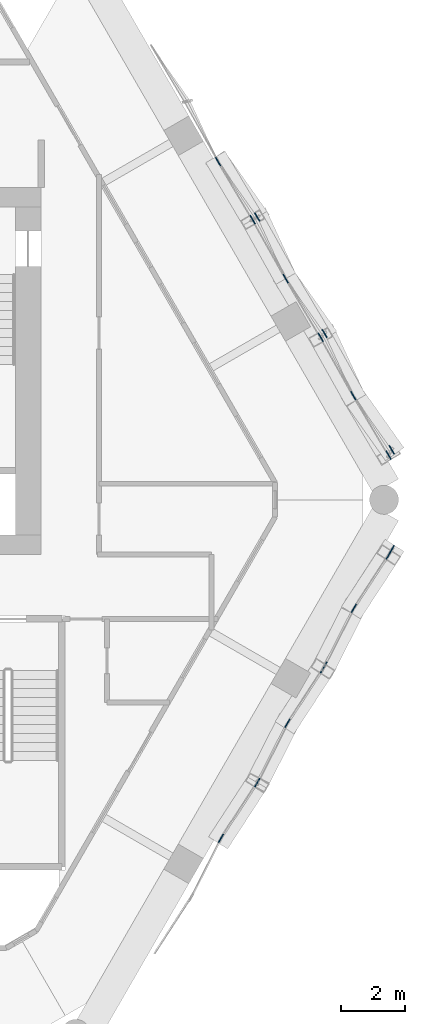
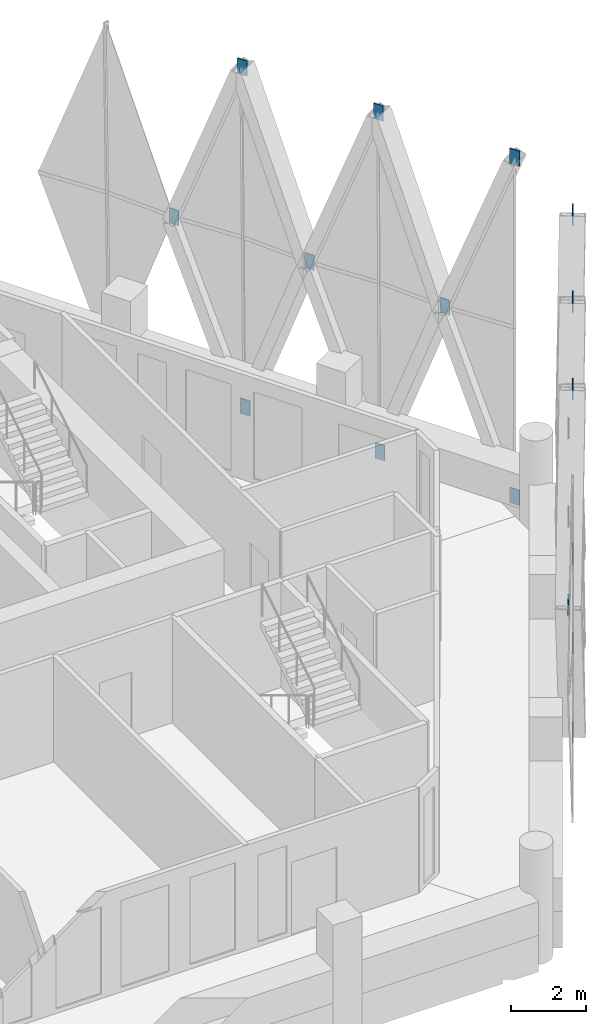
# One storey, part 17 of 18: 18 discrete accessories.
"""IFC4 building model written with IfcOpenShell, lengths in metres."""

from ifc_helpers import new_model, si_unit, direction, frame, origin, origin_2d, place, context, subcontext, project, spatial, rectangle, extrude, material, layer, layer_set, type_object, element, save


model = new_model("IFC4")

# Units and contexts
model_context = context("Model", 3, precision=1e-05, world=origin(), true_north=direction((0.0, 1.0)))
body_context = subcontext(model_context, "Body", "Model", "MODEL_VIEW")
ifc_project = project(units=[si_unit("LENGTHUNIT", "METRE"), si_unit("AREAUNIT", "SQUARE_METRE"), si_unit("VOLUMEUNIT", "CUBIC_METRE"), si_unit("PLANEANGLEUNIT", "RADIAN"), si_unit("MASSUNIT", "GRAM", prefix="KILO")], contexts=[model_context])

# Site, building, storey
site_placement = place(None, origin())
site = spatial("IfcSite", under=ifc_project, at=site_placement, CompositionType="ELEMENT")
building_placement = place(site_placement, origin())
building = spatial("IfcBuilding", under=site, at=building_placement, Name="Ostrander Bayou Hotel Tower", CompositionType="ELEMENT")
storey_placement = place(building_placement, frame((0.0, 0.0, 214.5)))
storey = spatial("IfcBuildingStorey", under=building, at=storey_placement, Name="L53", CompositionType="ELEMENT", Elevation=214.5)

# Discrete accessories
ifc_material = material(Name="Steel ASTM A572 Gr 50", Category="steel")
ifc_layer = layer(ifc_material, 0.030029296875)
ifc_layer_set = layer_set([ifc_layer], Name="GP1 gusset plate 30 mm")
discrete_accessory_type = type_object("IfcDiscreteAccessoryType", Name="GP1 gusset plate 30 mm", PredefinedType="BRACKET", material=ifc_layer_set)
for number, where, z_axis, x_axis, name in (
    (1, (14.089111328125, -10.518310546875, 4.77490234375), (0.0, 0.0, 1.0), (0.5, 0.866025403784, 0.0), "GP1 gusset plate lat 335"),
    (2, (15.216064453125, -8.784912109375, -0.85009765625), (0.0, 0.0, 1.0), (0.5, 0.866025403784, 0.0), "GP1 gusset plate lat 336"),
    (3, (15.216064453125, -8.784912109375, 10.39990234375), (0.0, 0.0, 1.0), (0.5, 0.866025403784, 0.0), "GP1 gusset plate lat 337"),
    (4, (16.153564453125, -6.9423828125, 4.77490234375), (0.0, 0.0, 1.0), (0.5, 0.866025403784, 0.0), "GP1 gusset plate lat 338"),
    (5, (17.30419921875, -5.168212890625, -0.85009765625), (0.0, 0.0, 1.0), (0.5, 0.866025403784, 0.0), "GP1 gusset plate lat 339"),
    (6, (17.257080078125, -5.25, 10.39990234375), (0.0, 0.0, 1.0), (0.5, 0.866025403784, 0.0), "GP1 gusset plate lat 340"),
    (7, (18.218017578125, -3.366455078125, 4.77490234375), (0.0, 0.0, 1.0), (0.5, 0.866025403784, 0.0), "GP1 gusset plate lat 341"),
    (8, (19.392333984375, -1.551513671875, -0.85009765625), (0.0, 0.0, 1.0), (0.5, 0.866025403784, 0.0), "GP1 gusset plate lat 342"),
    (9, (19.2978515625, -1.715087890625, 10.39990234375), (0.0, 0.0, 1.0), (0.5, 0.866025403784, 0.0), "GP1 gusset plate lat 343"),
    (10, (18.2001953125, 3.233642578125, 4.77490234375), (0.0, 0.0, 1.0), (-0.5, 0.866025403784, 0.0), "GP1 gusset plate lat 344"),
    (11, (19.392333984375, 1.551513671875, -0.85009765625), (0.0, 0.0, 1.0), (-0.5, 0.866025403784, 0.0), "GP1 gusset plate lat 345"),
    (12, (19.2978515625, 1.387939453125, 10.39990234375), (0.0, 0.0, 1.0), (-0.5, 0.866025403784, 0.0), "GP1 gusset plate lat 346"),
    (13, (17.30419921875, 5.168212890625, -0.85009765625), (0.0, 0.0, 1.0), (-0.5, 0.866025403784, 0.0), "GP1 gusset plate lat 347"),
    (14, (17.18603515625, 5.04541015625, 10.39990234375), (0.0, 0.0, 1.0), (-0.5, 0.866025403784, 0.0), "GP1 gusset plate lat 348"),
    (15, (16.100341796875, 6.870849609375, 4.77490234375), (0.0, 0.0, 1.0), (-0.5, 0.866025403784, 0.0), "GP1 gusset plate lat 349"),
    (16, (15.216064453125, 8.784912109375, -0.85009765625), (0.0, 0.0, 1.0), (-0.5, 0.866025403784, 0.0), "GP1 gusset plate lat 350"),
    (17, (15.07421875, 8.703125, 10.39990234375), (0.0, 0.0, 1.0), (-0.5, 0.866025403784, 0.0), "GP1 gusset plate lat 351"),
    (18, (14.00048828125, 10.508056640625, 4.77490234375), (0.0, 0.0, 1.0), (-0.5, 0.866025403784, 0.0), "GP1 gusset plate lat 352"),
):
    element("IfcDiscreteAccessory", number, at=place(storey_placement, frame(where, z_axis=z_axis, x_axis=x_axis)), inside=storey, type_object=discrete_accessory_type, Name=name, PredefinedType="BRACKET", context=body_context, shape_type="SweptSolid", body=[
        extrude(rectangle(XDim=0.300048828125, YDim=0.030029296875, at=origin_2d()), origin(), (0.0, 0.0, 1.0), 0.5),
    ])

save(model, "model.ifc")
